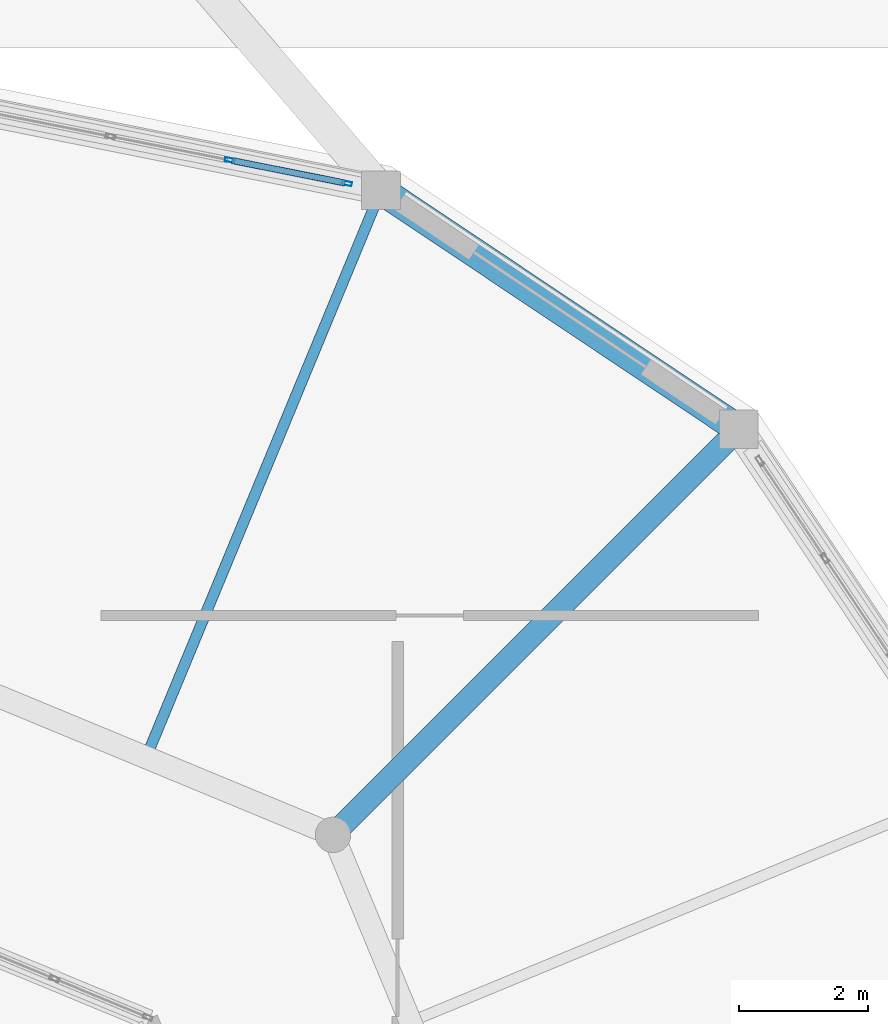
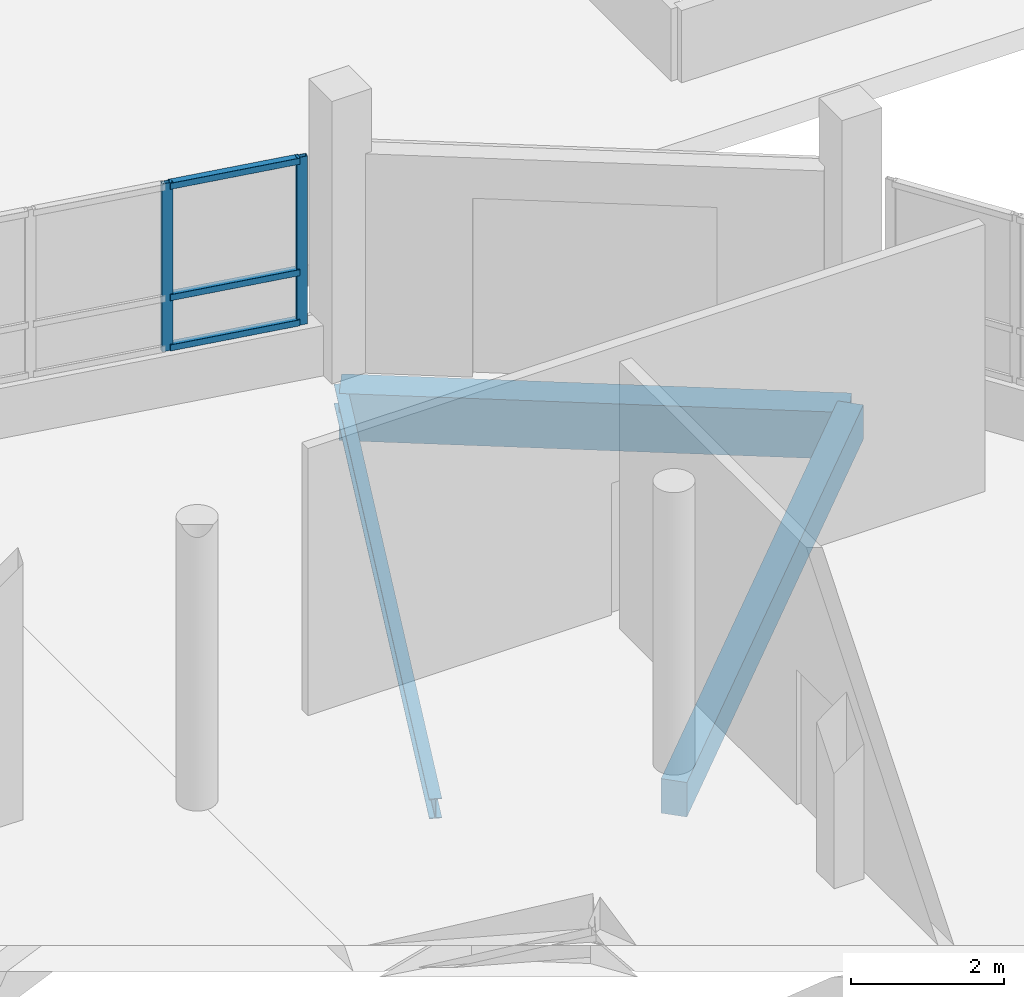
# One storey, part 84 of 129: 5 members, 3 beams, 1 element without a shape of its own.
"""IFC4 building model written with IfcOpenShell, lengths in metres."""

from ifc_helpers import new_model, si_unit, direction, frame, origin, origin_2d, place, context, subcontext, project, spatial, rectangle, hollow_rectangle, i_section, extrude, material, layer, layer_set, material_profile, profile_set, type_object, element, aggregate, save


model = new_model("IFC4")

# Units and contexts
model_context = context("Model", 3, precision=1e-05, world=origin(), true_north=direction((0.0, 1.0)))
body_context = subcontext(model_context, "Body", "Model", "MODEL_VIEW")
ifc_project = project(units=[si_unit("LENGTHUNIT", "METRE"), si_unit("AREAUNIT", "SQUARE_METRE"), si_unit("VOLUMEUNIT", "CUBIC_METRE"), si_unit("PLANEANGLEUNIT", "RADIAN"), si_unit("MASSUNIT", "GRAM", prefix="KILO")], contexts=[model_context])

# Site, building, storey
site_placement = place(None, origin())
site = spatial("IfcSite", under=ifc_project, at=site_placement, CompositionType="ELEMENT")
building_placement = place(site_placement, origin())
building = spatial("IfcBuilding", under=site, at=building_placement, Name="Vespera Passage Community Centre", CompositionType="ELEMENT")
storey_placement = place(building_placement, origin())
storey = spatial("IfcBuildingStorey", under=building, at=storey_placement, Name="L00", CompositionType="ELEMENT", Elevation=0.0)

# Beams
ifc_material_1 = material(Name="Concrete f'c 35 MPa", Category="concrete")
ifc_material_profile_1 = material_profile(ifc_material_1, rectangle(XDim=0.35009765625, YDim=0.550048828125, at=origin_2d()), Name="RC350X550")
ifc_profile_set_1 = profile_set([ifc_material_profile_1], Name="Concrete f'c 35 MPa")
beam_type_1 = type_object("IfcBeamType", Name="BM-J-350X550", PredefinedType="JOIST", material=ifc_profile_set_1)
beam_1_placement = place(storey_placement, frame((146.79833984375, 30.79833984375, -0.554931640625), z_axis=(0.707106781187, 0.707106781187, 0.0), x_axis=(-0.707106781187, 0.707106781187, 0.0)))
element("IfcBeam", 1, at=beam_1_placement, inside=storey, type_object=beam_type_1, Name="V3 L00 Radial Girder 2", PredefinedType="JOIST", context=body_context, shape_type="SweptSolid", body=[
    extrude(rectangle(XDim=0.35009765625, YDim=0.550048828125, at=origin_2d()), origin(), (0.0, 0.0, 1.0), 8.89990234375),
])
ifc_material_2 = material(Name="Steel ASTM A992 Grade 50", Category="steel")
ifc_material_profile_2 = material_profile(ifc_material_2, i_section(OverallWidth=0.16650390625, OverallDepth=0.3173828125, WebThickness=0.007568359375, FlangeThickness=0.01318359375, FilletRadius=0.007568359375, at=origin_2d()), Name="W12X35")
ifc_profile_set_2 = profile_set([ifc_material_profile_2], Name="Steel ASTM A992 Grade 50")
beam_type_2 = type_object("IfcBeamType", Name="BM-J-W12X35", PredefinedType="JOIST", material=ifc_profile_set_2)
beam_2_placement = place(storey_placement, frame((143.899169921875, 31.999267578125, -0.438720703125), z_axis=(0.382690630849, 0.923876550769, 0.0), x_axis=(-0.923876550769, 0.382690630849, 0.0)))
element("IfcBeam", 2, at=beam_2_placement, inside=storey, type_object=beam_type_2, Name="V3 L00 Secondary Joist 2", PredefinedType="JOIST", context=body_context, shape_type="SweptSolid", body=[
    extrude(i_section(OverallWidth=0.16650390625, OverallDepth=0.3173828125, WebThickness=0.007568359375, FlangeThickness=0.01318359375, FilletRadius=0.007568359375, at=origin_2d()), origin(), (0.0, 0.0, 1.0), 9.524169921875),
])
ifc_material_3 = material(Name="Concrete f'c 35 MPa", Category="concrete")
ifc_material_profile_3 = material_profile(ifc_material_3, rectangle(XDim=0.449951171875, YDim=0.75, at=origin_2d()), Name="RC450X750")
ifc_profile_set_3 = profile_set([ifc_material_profile_3], Name="Concrete f'c 35 MPa")
beam_type_3 = type_object("IfcBeamType", Name="BM-SP-450X750E", PredefinedType="SPANDREL", material=ifc_profile_set_3)
beam_3_placement = place(storey_placement, frame((153.091552734375, 37.091552734375, -0.655029296875), z_axis=(-0.831470004276, 0.55556964639, 0.0), x_axis=(-0.55556964639, -0.831470004276, 0.0)))
element("IfcBeam", 3, at=beam_3_placement, inside=storey, type_object=beam_type_3, Name="V3 L00 Spandrel 3", PredefinedType="SPANDREL", context=body_context, shape_type="SweptSolid", body=[
    extrude(rectangle(XDim=0.449951171875, YDim=0.75, at=origin_2d()), origin(), (0.0, 0.0, 1.0), 6.672119140625),
])

# Curtain wall, members
ifc_material_4 = material(Name="Anodized aluminium 6063-T6", Category="aluminium")
ifc_layer = layer(ifc_material_4, 0.159912109375)
ifc_layer_set = layer_set([ifc_layer], Name="Anodized aluminium 6063-T6")
curtain_wall_type = type_object("IfcCurtainWallType", Name="CW-101E", PredefinedType="NOTDEFINED", material=ifc_layer_set)
curtain_wall_placement = place(storey_placement, origin())
curtain_wall = element("IfcCurtainWall", 4, at=curtain_wall_placement, inside=storey, type_object=curtain_wall_type, Name="Dining Drum Ribbon Curtain Wall L00.4", PredefinedType="NOTDEFINED")
ifc_material_5 = material(Name="Anodized aluminium 6063-T6", Category="aluminium")
ifc_material_profile_4 = material_profile(ifc_material_5, hollow_rectangle(XDim=0.06494140625, YDim=0.14990234375, WallThickness=0.00390625, InnerFilletRadius=0.001953125, OuterFilletRadius=0.00390625, at=origin_2d()), Name="ALU150X65X4")
ifc_profile_set_4 = profile_set([ifc_material_profile_4], Name="Anodized aluminium 6063-T6")
member_type_1 = type_object("IfcMemberType", Name="MB-CWM-150E", PredefinedType="MULLION", material=ifc_profile_set_4)
member_1_placement = place(storey_placement, frame((145.197265625, 41.26513671875, 0.800048828125), z_axis=(0.0, 0.0, 1.0), x_axis=(0.195096778691, 0.980783996069, 0.0)))
member_1 = element("IfcMember", 5, at=member_1_placement, type_object=member_type_1, Name="CW-101E mullion 3", PredefinedType="MULLION", context=body_context, shape_type="SweptSolid", body=[
    extrude(hollow_rectangle(XDim=0.06494140625, YDim=0.14990234375, WallThickness=0.00390625, InnerFilletRadius=0.001953125, OuterFilletRadius=0.00390625, at=origin_2d()), origin(), (0.0, 0.0, 1.0), 2.675048828125),
])
member_2_placement = place(storey_placement, frame((147.015869140625, 40.9033203125, 0.800048828125), z_axis=(0.0, 0.0, 1.0), x_axis=(0.195096778691, 0.980783996069, 0.0)))
member_2 = element("IfcMember", 6, at=member_2_placement, type_object=member_type_1, Name="CW-101E mullion 4", PredefinedType="MULLION", context=body_context, shape_type="SweptSolid", body=[
    extrude(hollow_rectangle(XDim=0.06494140625, YDim=0.14990234375, WallThickness=0.00390625, InnerFilletRadius=0.001953125, OuterFilletRadius=0.00390625, at=origin_2d()), origin(), (0.0, 0.0, 1.0), 2.675048828125),
])
ifc_material_6 = material(Name="Anodized aluminium 6063-T6", Category="aluminium")
ifc_material_profile_5 = material_profile(ifc_material_6, hollow_rectangle(XDim=0.10009765625, YDim=0.10009765625, WallThickness=0.00390625, InnerFilletRadius=0.001953125, OuterFilletRadius=0.00390625, at=origin_2d()), Name="ALU100X100X4")
ifc_profile_set_5 = profile_set([ifc_material_profile_5], Name="Anodized aluminium 6063-T6")
member_type_2 = type_object("IfcMemberType", Name="MB-CWT-100E", PredefinedType="USERDEFINED", material=ifc_profile_set_5)
member_3_placement = place(storey_placement, frame((145.22900390625, 41.2587890625, 0.85009765625), z_axis=(0.980779590975, -0.195118922523, 0.0), x_axis=(0.195118922523, 0.980779590975, 0.0)))
member_3 = element("IfcMember", 7, at=member_3_placement, type_object=member_type_2, Name="CW-101E transom 3.1", ObjectType="TRANSOM", PredefinedType="USERDEFINED", context=body_context, shape_type="SweptSolid", body=[
    extrude(hollow_rectangle(XDim=0.10009765625, YDim=0.10009765625, WallThickness=0.00390625, InnerFilletRadius=0.001953125, OuterFilletRadius=0.00390625, at=origin_2d()), origin(), (0.0, 0.0, 1.0), 1.789306640625),
])
member_4_placement = place(storey_placement, frame((145.22900390625, 41.2587890625, 1.64990234375), z_axis=(0.980779590975, -0.195118922523, 0.0), x_axis=(0.195118922523, 0.980779590975, 0.0)))
member_4 = element("IfcMember", 8, at=member_4_placement, type_object=member_type_2, Name="CW-101E transom 3.2", ObjectType="TRANSOM", PredefinedType="USERDEFINED", context=body_context, shape_type="SweptSolid", body=[
    extrude(hollow_rectangle(XDim=0.10009765625, YDim=0.10009765625, WallThickness=0.00390625, InnerFilletRadius=0.001953125, OuterFilletRadius=0.00390625, at=origin_2d()), origin(), (0.0, 0.0, 1.0), 1.789306640625),
])
member_5_placement = place(storey_placement, frame((145.22900390625, 41.2587890625, 3.425048828125), z_axis=(0.980779590975, -0.195118922523, 0.0), x_axis=(0.195118922523, 0.980779590975, 0.0)))
member_5 = element("IfcMember", 9, at=member_5_placement, type_object=member_type_2, Name="CW-101E transom 3.3", ObjectType="TRANSOM", PredefinedType="USERDEFINED", context=body_context, shape_type="SweptSolid", body=[
    extrude(hollow_rectangle(XDim=0.10009765625, YDim=0.10009765625, WallThickness=0.00390625, InnerFilletRadius=0.001953125, OuterFilletRadius=0.00390625, at=origin_2d()), origin(), (0.0, 0.0, 1.0), 1.789306640625),
])
aggregate(curtain_wall, [member_1, member_2, member_3, member_4, member_5])

save(model, "model.ifc")
